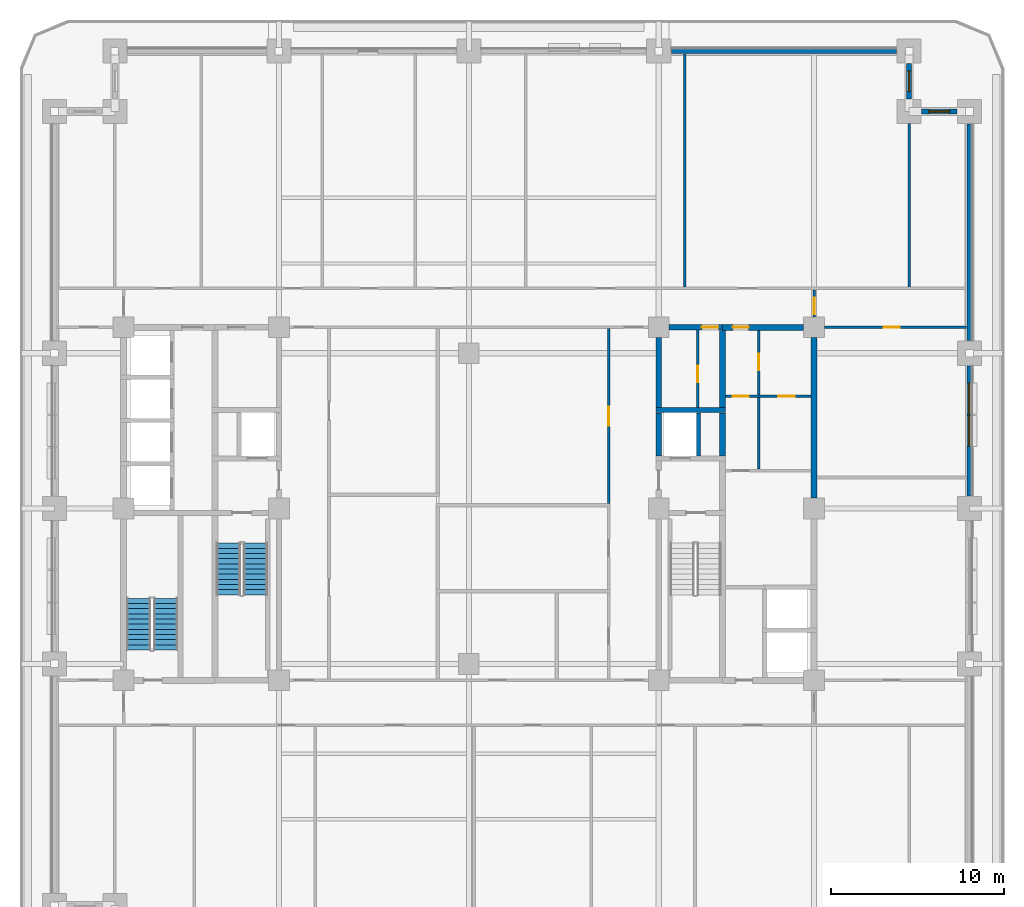
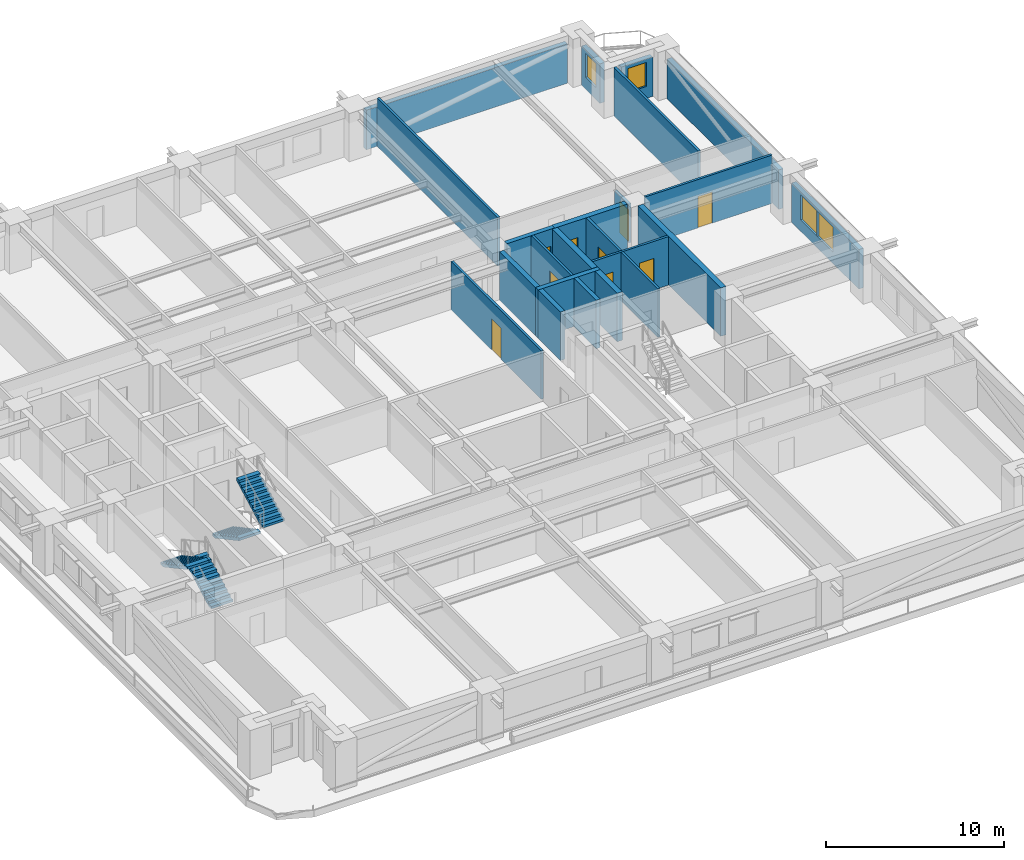
# One storey, part 6 of 15: 23 walls, 9 doors, 4 stair flights, 4 windows, 13 openings, 2 elements without a shape of their own.
"""IFC4 building model written with IfcOpenShell, lengths in metres."""

from ifc_helpers import new_model, si_unit, direction, frame, frame_2d, origin, place, context, subcontext, project, spatial, polyline, rectangle, outline, extrude, material, layer, layer_set, type_object, element, fill, aggregate, save


model = new_model("IFC4")

# Units and contexts
model_context = context("Model", 3, precision=1e-05, world=origin(), true_north=direction((0.0, 1.0)))
body_context = subcontext(model_context, "Body", "Model", "MODEL_VIEW")
ifc_project = project(units=[si_unit("LENGTHUNIT", "METRE"), si_unit("AREAUNIT", "SQUARE_METRE"), si_unit("VOLUMEUNIT", "CUBIC_METRE"), si_unit("PLANEANGLEUNIT", "RADIAN"), si_unit("MASSUNIT", "GRAM", prefix="KILO")], contexts=[model_context])

# Site, building, storey
site_placement = place(None, origin())
site = spatial("IfcSite", under=ifc_project, at=site_placement, CompositionType="ELEMENT")
building_placement = place(site_placement, origin())
building = spatial("IfcBuilding", under=site, at=building_placement, Name="Zulmaris Gate Convention Tower", CompositionType="ELEMENT")
storey_placement = place(building_placement, frame((0.0, 0.0, 37.909912109375)))
storey = spatial("IfcBuildingStorey", under=building, at=storey_placement, Name="L08", CompositionType="ELEMENT", Elevation=37.909912109375)

# Walls
ifc_material_1 = material(Name="Concrete C50/60", Category="concrete")
ifc_layer_1 = layer(ifc_material_1, 0.25, Name="Concrete C50/60")
ifc_layer_set_1 = layer_set([ifc_layer_1], Name="Concrete C50/60")
wall_type_1 = type_object("IfcWallType", Name="CORE-250", PredefinedType="SOLIDWALL", material=ifc_layer_set_1)
wall_1_placement = place(storey_placement, frame((13.300048828125, 3.052001953125, 0.0), z_axis=(0.0, 0.0, 1.0), x_axis=(0.0, 1.0, 0.0)))
element("IfcWall", 1, at=wall_1_placement, inside=storey, type_object=wall_type_1, Name="WL-L08-060", PredefinedType="SOLIDWALL", context=body_context, shape_type="SweptSolid", body=[
    extrude(rectangle(XDim=2.49609375, YDim=0.25, at=frame_2d((1.248046875, 0.0))), origin(), (0.0, 0.0, 1.0), 3.320068359375),
])
ifc_layer_2 = layer(ifc_material_1, 0.300048828125, Name="Concrete C50/60")
ifc_layer_set_2 = layer_set([ifc_layer_2], Name="Concrete C50/60")
wall_type_2 = type_object("IfcWallType", Name="CORE-300", PredefinedType="SHEAR", material=ifc_layer_set_2)
wall_2_placement = place(storey_placement, frame((10.85009765625, 5.699951171875, 0.0), z_axis=(0.0, 0.0, 1.0), x_axis=(1.0, 0.0, 0.0)))
element("IfcWall", 2, at=wall_2_placement, inside=storey, type_object=wall_type_2, Name="WL-L08-014", PredefinedType="SHEAR", context=body_context, shape_type="SweptSolid", body=[
    extrude(rectangle(XDim=4.02490234375, YDim=0.300048828125, at=frame_2d((2.012451171875, 0.0))), origin(), (0.0, 0.0, 1.0), 3.320068359375),
])

# Wall, opening, door
wall_3_placement = place(storey_placement, frame((11.60400390625, 10.5, 0.0), z_axis=(0.0, 0.0, 1.0), x_axis=(1.0, 0.0, 0.0)))
wall_3 = element("IfcWall", 3, at=wall_3_placement, inside=storey, type_object=wall_type_2, Name="WL-L08-018", PredefinedType="SHEAR", context=body_context, shape_type="SweptSolid", body=[
    extrude(rectangle(XDim=3.095947265625, YDim=0.300048828125, at=frame_2d((1.5478515625, 0.0))), origin(), (0.0, 0.0, 1.0), 3.320068359375),
])
opening_1_placement = place(wall_3_placement, frame((1.90087890625, 0.0, 0.0)))
opening_1 = element("IfcOpeningElement", 4, at=opening_1_placement, cuts=wall_3, Name="Opening D-11", PredefinedType="OPENING", context=body_context, shape_type="SweptSolid", body=[
    extrude(rectangle(XDim=0.949951171875, YDim=2.14990234375, at=frame_2d((0.47509765625, 1.074951171875))), frame((0.0, 0.16015625, 0.0), z_axis=(0.0, -1.0, 0.0), x_axis=(1.0, 0.0, 0.0)), (0.0, 0.0, 1.0), 0.320068359375),
])
ifc_material_2 = material(Name="Fire-Rated Timber", Category="wood")
door_type_1 = type_object("IfcDoorType", Name="DR-950-FD", OperationType="NOTDEFINED", PredefinedType="DOOR", material=ifc_material_2)
door_1_placement = place(opening_1_placement, origin())
door_1 = element("IfcDoor", 5, at=door_1_placement, inside=storey, type_object=door_type_1, Name="L08 Core Linen Closet Door 08", OperationType="SINGLE_SWING_RIGHT", OverallHeight=2.14990234375, OverallWidth=0.949951171875, PredefinedType="DOOR", context=body_context, shape_type="SweptSolid", body=[
    extrude(rectangle(XDim=0.949951171875, YDim=2.14990234375, at=frame_2d((0.47509765625, 1.074951171875))), frame((0.0, 0.02490234375, 0.0), z_axis=(0.0, -1.0, 0.0), x_axis=(1.0, 0.0, 0.0)), (0.0, 0.0, 1.0), 0.050048828125),
])
fill(opening_1, door_1)

# Walls
wall_4_placement = place(storey_placement, frame((11.0, 3.052001953125, 0.0), z_axis=(0.0, 0.0, 1.0), x_axis=(0.0, 1.0, 0.0)))
element("IfcWall", 6, at=wall_4_placement, inside=storey, type_object=wall_type_2, Name="WL-L08-057", PredefinedType="SHEAR", context=body_context, shape_type="SweptSolid", body=[
    extrude(rectangle(XDim=2.49609375, YDim=0.300048828125, at=frame_2d((1.248046875, 0.0))), origin(), (0.0, 0.0, 1.0), 3.320068359375),
])
wall_5_placement = place(storey_placement, frame((11.0, 5.85205078125, 0.0), z_axis=(0.0, 0.0, 1.0), x_axis=(0.0, 1.0, 0.0)))
element("IfcWall", 7, at=wall_5_placement, inside=storey, type_object=wall_type_2, Name="WL-L08-058", PredefinedType="SHEAR", context=body_context, shape_type="SweptSolid", body=[
    extrude(rectangle(XDim=4.0439453125, YDim=0.300048828125, at=frame_2d((2.02197265625, 0.0))), origin(), (0.0, 0.0, 1.0), 3.320068359375),
])

# Wall, opening, door
ifc_material_3 = material(Name="Concrete C55/67", Category="concrete")
ifc_layer_3 = layer(ifc_material_3, 0.35009765625, Name="Concrete C55/67")
ifc_layer_set_3 = layer_set([ifc_layer_3], Name="Concrete C55/67")
wall_type_3 = type_object("IfcWallType", Name="CORE-350", PredefinedType="SHEAR", material=ifc_layer_set_3)
wall_6_placement = place(storey_placement, frame((14.699951171875, 10.5, 0.0), z_axis=(0.0, 0.0, 1.0), x_axis=(1.0, 0.0, 0.0)))
wall_6 = element("IfcWall", 8, at=wall_6_placement, inside=storey, type_object=wall_type_3, Name="WL-L08-019", PredefinedType="SHEAR", context=body_context, shape_type="SweptSolid", body=[
    extrude(rectangle(XDim=4.696044921875, YDim=0.35009765625, at=frame_2d((2.34814453125, 0.0))), origin(), (0.0, 0.0, 1.0), 3.320068359375),
])
opening_2_placement = place(wall_6_placement, frame((0.60009765625, 0.0, 0.0)))
opening_2 = element("IfcOpeningElement", 9, at=opening_2_placement, cuts=wall_6, Name="Opening D-12", PredefinedType="OPENING", context=body_context, shape_type="SweptSolid", body=[
    extrude(rectangle(XDim=0.89990234375, YDim=2.14990234375, at=frame_2d((0.449951171875, 1.074951171875))), frame((0.0, 0.18505859375, 0.0), z_axis=(0.0, -1.0, 0.0), x_axis=(1.0, 0.0, 0.0)), (0.0, 0.0, 1.0), 0.3701171875),
])
door_type_2 = type_object("IfcDoorType", Name="DR-900-FD", OperationType="NOTDEFINED", PredefinedType="DOOR", material=ifc_material_2)
door_2_placement = place(opening_2_placement, origin())
door_2 = element("IfcDoor", 10, at=door_2_placement, inside=storey, type_object=door_type_2, Name="L08 East Service Passage Door 17", OperationType="SINGLE_SWING_LEFT", OverallHeight=2.14990234375, OverallWidth=0.89990234375, PredefinedType="DOOR", context=body_context, shape_type="SweptSolid", body=[
    extrude(rectangle(XDim=0.89990234375, YDim=2.14990234375, at=frame_2d((0.449951171875, 1.074951171875))), frame((0.0, 0.02490234375, 0.0), z_axis=(0.0, -1.0, 0.0), x_axis=(1.0, 0.0, 0.0)), (0.0, 0.0, 1.0), 0.050048828125),
])
fill(opening_2, door_2)

# Walls
wall_7_placement = place(storey_placement, frame((14.699951171875, 3.052001953125, 0.0), z_axis=(0.0, 0.0, 1.0), x_axis=(0.0, 1.0, 0.0)))
element("IfcWall", 11, at=wall_7_placement, inside=storey, type_object=wall_type_3, Name="WL-L08-063", PredefinedType="SHEAR", context=body_context, shape_type="SweptSolid", body=[
    extrude(rectangle(XDim=2.49609375, YDim=0.35009765625, at=frame_2d((1.248046875, 0.0))), origin(), (0.0, 0.0, 1.0), 3.320068359375),
])
wall_8_placement = place(storey_placement, frame((14.699951171875, 5.85205078125, 0.0), z_axis=(0.0, 0.0, 1.0), x_axis=(0.0, 1.0, 0.0)))
element("IfcWall", 12, at=wall_8_placement, inside=storey, type_object=wall_type_3, Name="WL-L08-064", PredefinedType="SHEAR", context=body_context, shape_type="SweptSolid", body=[
    extrude(rectangle(XDim=4.470947265625, YDim=0.35009765625, at=frame_2d((2.2353515625, 0.0))), origin(), (0.0, 0.0, 1.0), 3.320068359375),
])
wall_9_placement = place(storey_placement, frame((20.0, 0.60400390625, 0.0), z_axis=(0.0, 0.0, 1.0), x_axis=(0.0, 1.0, 0.0)))
element("IfcWall", 13, at=wall_9_placement, inside=storey, type_object=wall_type_3, Name="WL-L08-069S1", PredefinedType="SHEAR", context=body_context, shape_type="SweptSolid", body=[
    extrude(rectangle(XDim=9.2919921875, YDim=0.35009765625, at=frame_2d((4.64599609375, 0.0))), origin(), (0.0, 0.0, 1.0), 3.320068359375),
])

# Wall, openings, doors
ifc_material_4 = material(Name="Gypsum Metal Stud Partition")
ifc_layer_4 = layer(ifc_material_4, 0.14990234375, Name="Gypsum Metal Stud Partition")
ifc_layer_set_4 = layer_set([ifc_layer_4], Name="Gypsum Metal Stud Partition")
wall_type_4 = type_object("IfcWallType", Name="PART-150", PredefinedType="PARTITIONING", material=ifc_layer_set_4)
wall_10_placement = place(storey_placement, frame((14.8779296875, 6.5, 0.0), z_axis=(0.0, 0.0, 1.0), x_axis=(1.0, 0.0, 0.0)))
wall_10 = element("IfcWall", 14, at=wall_10_placement, inside=storey, type_object=wall_type_4, Name="WL-L08-030", PredefinedType="PARTITIONING", context=body_context, shape_type="SweptSolid", body=[
    extrude(rectangle(XDim=4.944091796875, YDim=0.14990234375, at=frame_2d((2.47216796875, 0.0))), origin(), (0.0, 0.0, 1.0), 3.320068359375),
])
opening_3_placement = place(wall_10_placement, frame((0.39697265625, 0.0, 0.0)))
opening_3 = element("IfcOpeningElement", 15, at=opening_3_placement, cuts=wall_10, Name="Opening D-11", PredefinedType="OPENING", context=body_context, shape_type="SweptSolid", body=[
    extrude(rectangle(XDim=0.949951171875, YDim=2.14990234375, at=frame_2d((0.47509765625, 1.074951171875))), frame((0.0, 0.0849609375, 0.0), z_axis=(0.0, -1.0, 0.0), x_axis=(1.0, 0.0, 0.0)), (0.0, 0.0, 1.0), 0.169921875),
])
opening_4_placement = place(wall_10_placement, frame((3.047119140625, 0.0, 0.0)))
opening_4 = element("IfcOpeningElement", 16, at=opening_4_placement, cuts=wall_10, Name="Opening D-11", PredefinedType="OPENING", context=body_context, shape_type="SweptSolid", body=[
    extrude(rectangle(XDim=0.949951171875, YDim=2.14990234375, at=frame_2d((0.47509765625, 1.074951171875))), frame((0.0, 0.0849609375, 0.0), z_axis=(0.0, -1.0, 0.0), x_axis=(1.0, 0.0, 0.0)), (0.0, 0.0, 1.0), 0.169921875),
])
door_3_placement = place(opening_3_placement, origin())
door_3 = element("IfcDoor", 17, at=door_3_placement, inside=storey, type_object=door_type_1, Name="L08 East Staff WC Door 18", OperationType="SINGLE_SWING_RIGHT", OverallHeight=2.14990234375, OverallWidth=0.949951171875, PredefinedType="DOOR", context=body_context, shape_type="SweptSolid", body=[
    extrude(rectangle(XDim=0.949951171875, YDim=2.14990234375, at=frame_2d((0.47509765625, 1.074951171875))), frame((0.0, 0.02490234375, 0.0), z_axis=(0.0, -1.0, 0.0), x_axis=(1.0, 0.0, 0.0)), (0.0, 0.0, 1.0), 0.050048828125),
])
fill(opening_3, door_3)
door_4_placement = place(opening_4_placement, origin())
door_4 = element("IfcDoor", 18, at=door_4_placement, inside=storey, type_object=door_type_1, Name="L08 East Catering Store Door 21", OperationType="SINGLE_SWING_LEFT", OverallHeight=2.14990234375, OverallWidth=0.949951171875, PredefinedType="DOOR", context=body_context, shape_type="SweptSolid", body=[
    extrude(rectangle(XDim=0.949951171875, YDim=2.14990234375, at=frame_2d((0.47509765625, 1.074951171875))), frame((0.0, 0.02490234375, 0.0), z_axis=(0.0, -1.0, 0.0), x_axis=(1.0, 0.0, 0.0)), (0.0, 0.0, 1.0), 0.050048828125),
])
fill(opening_4, door_4)

# Wall, opening, door
wall_11_placement = place(storey_placement, frame((20.60595703125, 10.5, 0.0), z_axis=(0.0, 0.0, 1.0), x_axis=(1.0, 0.0, 0.0)))
wall_11 = element("IfcWall", 19, at=wall_11_placement, inside=storey, type_object=wall_type_4, Name="WL-L08-033", PredefinedType="PARTITIONING", context=body_context, shape_type="SweptSolid", body=[
    extrude(rectangle(XDim=8.22900390625, YDim=0.14990234375, at=frame_2d((4.114501953125, 0.0))), origin(), (0.0, 0.0, 1.0), 3.320068359375),
])
opening_5_placement = place(wall_11_placement, frame((3.4189453125, 0.0, 0.0)))
opening_5 = element("IfcOpeningElement", 20, at=opening_5_placement, cuts=wall_11, Name="Opening D-11", PredefinedType="OPENING", context=body_context, shape_type="SweptSolid", body=[
    extrude(rectangle(XDim=0.949951171875, YDim=2.14990234375, at=frame_2d((0.47509765625, 1.074951171875))), frame((0.0, 0.0849609375, 0.0), z_axis=(0.0, -1.0, 0.0), x_axis=(1.0, 0.0, 0.0)), (0.0, 0.0, 1.0), 0.169921875),
])
door_5_placement = place(opening_5_placement, origin())
door_5 = element("IfcDoor", 21, at=door_5_placement, inside=storey, type_object=door_type_1, Name="L08 NE Partner Door 50", OperationType="SINGLE_SWING_RIGHT", OverallHeight=2.14990234375, OverallWidth=0.949951171875, PredefinedType="DOOR", context=body_context, shape_type="SweptSolid", body=[
    extrude(rectangle(XDim=0.949951171875, YDim=2.14990234375, at=frame_2d((0.47509765625, 1.074951171875))), frame((0.0, 0.02490234375, 0.0), z_axis=(0.0, -1.0, 0.0), x_axis=(1.0, 0.0, 0.0)), (0.0, 0.0, 1.0), 0.050048828125),
])
fill(opening_5, door_5)

wall_12_placement = place(storey_placement, frame((8.10009765625, 0.302978515625, 0.0), z_axis=(0.0, 0.0, 1.0), x_axis=(0.0, 1.0, 0.0)))
wall_12 = element("IfcWall", 22, at=wall_12_placement, inside=storey, type_object=wall_type_4, Name="WL-L08-091", PredefinedType="PARTITIONING", context=body_context, shape_type="SweptSolid", body=[
    extrude(rectangle(XDim=10.119140625, YDim=0.14990234375, at=frame_2d((5.0595703125, 0.0))), origin(), (0.0, 0.0, 1.0), 3.320068359375),
])
opening_6_placement = place(wall_12_placement, frame((4.4970703125, 0.0, 0.0)))
opening_6 = element("IfcOpeningElement", 23, at=opening_6_placement, cuts=wall_12, Name="Opening D-08", PredefinedType="OPENING", context=body_context, shape_type="SweptSolid", body=[
    extrude(rectangle(XDim=1.10009765625, YDim=2.14990234375, at=frame_2d((0.550048828125, 1.074951171875))), frame((0.0, 0.0849609375, 0.0), z_axis=(0.0, -1.0, 0.0), x_axis=(1.0, 0.0, 0.0)), (0.0, 0.0, 1.0), 0.169921875),
])
ifc_material_5 = material(Name="Fire-Rated Steel", Category="steel")
door_type_3 = type_object("IfcDoorType", Name="DR-1100-FD", OperationType="NOTDEFINED", PredefinedType="DOOR", material=ifc_material_5)
door_6_placement = place(opening_6_placement, origin())
door_6 = element("IfcDoor", 24, at=door_6_placement, inside=storey, type_object=door_type_3, Name="L08 Seminar Forum Door 40", OperationType="SINGLE_SWING_RIGHT", OverallHeight=2.14990234375, OverallWidth=1.10009765625, PredefinedType="DOOR", context=body_context, shape_type="SweptSolid", body=[
    extrude(rectangle(XDim=1.10009765625, YDim=2.14990234375, at=frame_2d((0.550048828125, 1.074951171875))), frame((0.0, 0.02490234375, 0.0), z_axis=(0.0, -1.0, 0.0), x_axis=(1.0, 0.0, 0.0)), (0.0, 0.0, 1.0), 0.050048828125),
])
fill(opening_6, door_6)

# Wall
wall_13_placement = place(storey_placement, frame((12.5, 12.827880859375, 0.0), z_axis=(0.0, 0.0, 1.0), x_axis=(0.0, 1.0, 0.0)))
element("IfcWall", 25, at=wall_13_placement, inside=storey, type_object=wall_type_4, Name="WL-L08-092", PredefinedType="PARTITIONING", context=body_context, shape_type="SweptSolid", body=[
    extrude(rectangle(XDim=13.507080078125, YDim=0.14990234375, at=frame_2d((6.75341796875, 0.0))), origin(), (0.0, 0.0, 1.0), 3.320068359375),
])

# Wall, opening, door
wall_14_placement = place(storey_placement, frame((13.25, 5.85302734375, 0.0), z_axis=(0.0, 0.0, 1.0), x_axis=(0.0, 1.0, 0.0)))
wall_14 = element("IfcWall", 26, at=wall_14_placement, inside=storey, type_object=wall_type_4, Name="WL-L08-094", PredefinedType="PARTITIONING", context=body_context, shape_type="SweptSolid", body=[
    extrude(rectangle(XDim=4.493896484375, YDim=0.14990234375, at=frame_2d((2.2470703125, 0.0))), origin(), (0.0, 0.0, 1.0), 3.320068359375),
])
opening_7_placement = place(wall_14_placement, frame((1.471923828125, 0.0, 0.0)))
opening_7 = element("IfcOpeningElement", 27, at=opening_7_placement, cuts=wall_14, Name="Opening D-11", PredefinedType="OPENING", context=body_context, shape_type="SweptSolid", body=[
    extrude(rectangle(XDim=0.949951171875, YDim=2.14990234375, at=frame_2d((0.47509765625, 1.074951171875))), frame((0.0, 0.0849609375, 0.0), z_axis=(0.0, -1.0, 0.0), x_axis=(1.0, 0.0, 0.0)), (0.0, 0.0, 1.0), 0.169921875),
])
door_7_placement = place(opening_7_placement, origin())
door_7 = element("IfcDoor", 28, at=door_7_placement, inside=storey, type_object=door_type_1, Name="L08 Core Service Pantry Door 09", OperationType="SINGLE_SWING_LEFT", OverallHeight=2.14990234375, OverallWidth=0.949951171875, PredefinedType="DOOR", context=body_context, shape_type="SweptSolid", body=[
    extrude(rectangle(XDim=0.949951171875, YDim=2.14990234375, at=frame_2d((0.47509765625, 1.074951171875))), frame((0.0, 0.02490234375, 0.0), z_axis=(0.0, -1.0, 0.0), x_axis=(1.0, 0.0, 0.0)), (0.0, 0.0, 1.0), 0.050048828125),
])
fill(opening_7, door_7)

# Wall
wall_15_placement = place(storey_placement, frame((16.800048828125, 2.278076171875, 0.0), z_axis=(0.0, 0.0, 1.0), x_axis=(0.0, 1.0, 0.0)))
element("IfcWall", 29, at=wall_15_placement, inside=storey, type_object=wall_type_4, Name="WL-L08-095", PredefinedType="PARTITIONING", context=body_context, shape_type="SweptSolid", body=[
    extrude(rectangle(XDim=4.14404296875, YDim=0.14990234375, at=frame_2d((2.072021484375, 0.0))), origin(), (0.0, 0.0, 1.0), 3.320068359375),
])

# Wall, opening, door
wall_16_placement = place(storey_placement, frame((16.800048828125, 6.577880859375, 0.0), z_axis=(0.0, 0.0, 1.0), x_axis=(0.0, 1.0, 0.0)))
wall_16 = element("IfcWall", 30, at=wall_16_placement, inside=storey, type_object=wall_type_4, Name="WL-L08-096", PredefinedType="PARTITIONING", context=body_context, shape_type="SweptSolid", body=[
    extrude(rectangle(XDim=3.744140625, YDim=0.14990234375, at=frame_2d((1.8720703125, 0.0))), origin(), (0.0, 0.0, 1.0), 3.320068359375),
])
opening_8_placement = place(wall_16_placement, frame((1.447021484375, 0.0, 0.0)))
opening_8 = element("IfcOpeningElement", 31, at=opening_8_placement, cuts=wall_16, Name="Opening D-11", PredefinedType="OPENING", context=body_context, shape_type="SweptSolid", body=[
    extrude(rectangle(XDim=0.949951171875, YDim=2.14990234375, at=frame_2d((0.47509765625, 1.074951171875))), frame((0.0, 0.0849609375, 0.0), z_axis=(0.0, -1.0, 0.0), x_axis=(1.0, 0.0, 0.0)), (0.0, 0.0, 1.0), 0.169921875),
])
door_8_placement = place(opening_8_placement, origin())
door_8 = element("IfcDoor", 32, at=door_8_placement, inside=storey, type_object=door_type_1, Name="L08 East Vending Pantry Door 20", OperationType="SINGLE_SWING_RIGHT", OverallHeight=2.14990234375, OverallWidth=0.949951171875, PredefinedType="DOOR", context=body_context, shape_type="SweptSolid", body=[
    extrude(rectangle(XDim=0.949951171875, YDim=2.14990234375, at=frame_2d((0.47509765625, 1.074951171875))), frame((0.0, 0.02490234375, 0.0), z_axis=(0.0, -1.0, 0.0), x_axis=(1.0, 0.0, 0.0)), (0.0, 0.0, 1.0), 0.050048828125),
])
fill(opening_8, door_8)

wall_17_placement = place(storey_placement, frame((20.0, 11.10595703125, 0.0), z_axis=(0.0, 0.0, 1.0), x_axis=(0.0, 1.0, 0.0)))
wall_17 = element("IfcWall", 33, at=wall_17_placement, inside=storey, type_object=wall_type_4, Name="WL-L08-098", PredefinedType="PARTITIONING", context=body_context, shape_type="SweptSolid", body=[
    extrude(rectangle(XDim=1.566162109375, YDim=0.14990234375, at=frame_2d((0.783203125, 0.0))), origin(), (0.0, 0.0, 1.0), 2.66015625),
])
opening_9_placement = place(wall_17_placement, frame((0.14990234375, 0.0, 0.0)))
opening_9 = element("IfcOpeningElement", 34, at=opening_9_placement, cuts=wall_17, Name="Opening D-11", PredefinedType="OPENING", context=body_context, shape_type="SweptSolid", body=[
    extrude(rectangle(XDim=0.949951171875, YDim=2.14990234375, at=frame_2d((0.47509765625, 1.074951171875))), frame((0.0, 0.0849609375, 0.0), z_axis=(0.0, -1.0, 0.0), x_axis=(1.0, 0.0, 0.0)), (0.0, 0.0, 1.0), 0.169921875),
])
door_9_placement = place(opening_9_placement, origin())
door_9 = element("IfcDoor", 35, at=door_9_placement, inside=storey, type_object=door_type_1, Name="L08 NE Spur Door 48", OperationType="SINGLE_SWING_RIGHT", OverallHeight=2.14990234375, OverallWidth=0.949951171875, PredefinedType="DOOR", context=body_context, shape_type="SweptSolid", body=[
    extrude(rectangle(XDim=0.949951171875, YDim=2.14990234375, at=frame_2d((0.47509765625, 1.074951171875))), frame((0.0, 0.02490234375, 0.0), z_axis=(0.0, -1.0, 0.0), x_axis=(1.0, 0.0, 0.0)), (0.0, 0.0, 1.0), 0.050048828125),
])
fill(opening_9, door_9)

# Wall
wall_18_placement = place(storey_placement, frame((25.5, 12.827880859375, 0.0), z_axis=(0.0, 0.0, 1.0), x_axis=(0.0, 1.0, 0.0)))
element("IfcWall", 36, at=wall_18_placement, inside=storey, type_object=wall_type_4, Name="WL-L08-100", PredefinedType="PARTITIONING", context=body_context, shape_type="SweptSolid", body=[
    extrude(rectangle(XDim=9.466064453125, YDim=0.14990234375, at=frame_2d((4.73291015625, 0.0))), origin(), (0.0, 0.0, 1.0), 3.320068359375),
])

# Wall, opening, window
ifc_material_6 = material(Name="Precast concrete C40/50", Category="concrete")
ifc_layer_5 = layer(ifc_material_6, 0.300048828125, Name="Precast concrete C40/50")
ifc_layer_set_5 = layer_set([ifc_layer_5], Name="Precast concrete C40/50")
wall_type_5 = type_object("IfcWallType", Name="PRECAST-PIER-300", PredefinedType="STANDARD", material=ifc_layer_set_5)
wall_19_placement = place(storey_placement, frame((28.27001953125, 23.0, 0.0), z_axis=(0.0, 0.0, 1.0), x_axis=(-1.0, 0.0, 0.0)))
wall_19 = element("IfcWall", 37, at=wall_19_placement, inside=storey, type_object=wall_type_5, Name="EW-L08-NOTCH-NE1_0", PredefinedType="STANDARD", context=body_context, shape_type="SweptSolid", body=[
    extrude(rectangle(XDim=2.0400390625, YDim=0.300048828125, at=frame_2d((1.02001953125, 0.0))), origin(), (0.0, 0.0, 1.0), 2.712158203125),
])
opening_10_placement = place(wall_19_placement, frame((0.419921875, 0.0, 0.820068359375)))
opening_10 = element("IfcOpeningElement", 38, at=opening_10_placement, cuts=wall_19, Name="Opening W-04", PredefinedType="OPENING", context=body_context, shape_type="SweptSolid", body=[
    extrude(rectangle(XDim=1.199951171875, YDim=1.64990234375, at=frame_2d((0.60009765625, 0.824951171875))), frame((0.0, 0.16015625, 0.0), z_axis=(0.0, -1.0, 0.0), x_axis=(1.0, 0.0, 0.0)), (0.0, 0.0, 1.0), 0.320068359375),
])
ifc_material_7 = material(Name="Low-E Laminated Double Glazing in Aluminium Frame", Category="aluminium")
window_type_1 = type_object("IfcWindowType", Name="WIN-1200x2100", PartitioningType="SINGLE_PANEL", PredefinedType="WINDOW", material=ifc_material_7)
window_1_placement = place(opening_10_placement, origin())
window_1 = element("IfcWindow", 39, at=window_1_placement, inside=storey, type_object=window_type_1, Name="WN-EW-L08-NOTCH-NE1_0", OverallHeight=1.64990234375, OverallWidth=1.199951171875, PartitioningType="SINGLE_PANEL", PredefinedType="WINDOW", context=body_context, shape_type="SweptSolid", body=[
    extrude(rectangle(XDim=1.199951171875, YDim=1.64990234375, at=frame_2d((0.60009765625, 0.824951171875))), frame((0.0, 0.030029296875, 0.0), z_axis=(0.0, -1.0, 0.0), x_axis=(1.0, 0.0, 0.0)), (0.0, 0.0, 1.0), 0.06005859375),
])
fill(opening_10, window_1)

wall_20_placement = place(storey_placement, frame((25.5, 23.72998046875, 0.0), z_axis=(0.0, 0.0, 1.0), x_axis=(0.0, 1.0, 0.0)))
wall_20 = element("IfcWall", 40, at=wall_20_placement, inside=storey, type_object=wall_type_5, Name="EW-L08-NOTCH-NE2_0", PredefinedType="STANDARD", context=body_context, shape_type="SweptSolid", body=[
    extrude(rectangle(XDim=2.0400390625, YDim=0.300048828125, at=frame_2d((1.02001953125, 0.0))), origin(), (0.0, 0.0, 1.0), 2.712158203125),
])
opening_11_placement = place(wall_20_placement, frame((0.419921875, 0.0, 0.820068359375)))
opening_11 = element("IfcOpeningElement", 41, at=opening_11_placement, cuts=wall_20, Name="Opening W-04", PredefinedType="OPENING", context=body_context, shape_type="SweptSolid", body=[
    extrude(rectangle(XDim=1.199951171875, YDim=1.64990234375, at=frame_2d((0.60009765625, 0.824951171875))), frame((0.0, 0.16015625, 0.0), z_axis=(0.0, -1.0, 0.0), x_axis=(1.0, 0.0, 0.0)), (0.0, 0.0, 1.0), 0.320068359375),
])
window_2_placement = place(opening_11_placement, origin())
window_2 = element("IfcWindow", 42, at=window_2_placement, inside=storey, type_object=window_type_1, Name="WN-EW-L08-NOTCH-NE2_0", OverallHeight=1.64990234375, OverallWidth=1.199951171875, PartitioningType="SINGLE_PANEL", PredefinedType="WINDOW", context=body_context, shape_type="SweptSolid", body=[
    extrude(rectangle(XDim=1.199951171875, YDim=1.64990234375, at=frame_2d((0.60009765625, 0.824951171875))), frame((0.0, 0.030029296875, 0.0), z_axis=(0.0, -1.0, 0.0), x_axis=(1.0, 0.0, 0.0)), (0.0, 0.0, 1.0), 0.06005859375),
])
fill(opening_11, window_2)

# Wall
wall_21_placement = place(storey_placement, frame((24.77001953125, 26.5, 0.0), z_axis=(0.0, 0.0, 1.0), x_axis=(-1.0, 0.0, 0.0)))
element("IfcWall", 43, at=wall_21_placement, inside=storey, type_object=wall_type_5, Name="EW-L08-N-3_0", PredefinedType="STANDARD", context=body_context, shape_type="SweptSolid", body=[
    extrude(rectangle(XDim=13.0400390625, YDim=0.300048828125, at=frame_2d((6.52001953125, 0.0))), origin(), (0.0, 0.0, 1.0), 2.712158203125),
])

# Wall, openings, windows
wall_22_placement = place(storey_placement, frame((29.0, 0.72998046875, 0.0), z_axis=(0.0, 0.0, 1.0), x_axis=(0.0, 1.0, 0.0)))
wall_22 = element("IfcWall", 44, at=wall_22_placement, inside=storey, type_object=wall_type_5, Name="EW-L08-E-2_0", PredefinedType="STANDARD", context=body_context, shape_type="SweptSolid", body=[
    extrude(rectangle(XDim=7.5400390625, YDim=0.300048828125, at=frame_2d((3.77001953125, 0.0))), origin(), (0.0, 0.0, 1.0), 2.712158203125),
])
opening_12_placement = place(wall_22_placement, frame((2.8701171875, 0.0, 0.780029296875)))
opening_12 = element("IfcOpeningElement", 45, at=opening_12_placement, cuts=wall_22, Name="Opening W-02", PredefinedType="OPENING", context=body_context, shape_type="SweptSolid", body=[
    extrude(rectangle(XDim=1.800048828125, YDim=1.719970703125, at=frame_2d((0.89990234375, 0.85986328125))), frame((0.0, 0.16015625, 0.0), z_axis=(0.0, -1.0, 0.0), x_axis=(1.0, 0.0, 0.0)), (0.0, 0.0, 1.0), 0.320068359375),
])
opening_13_placement = place(wall_22_placement, frame((4.7548828125, 0.0, 0.780029296875)))
opening_13 = element("IfcOpeningElement", 46, at=opening_13_placement, cuts=wall_22, Name="Opening W-02", PredefinedType="OPENING", context=body_context, shape_type="SweptSolid", body=[
    extrude(rectangle(XDim=1.800048828125, YDim=1.719970703125, at=frame_2d((0.89990234375, 0.85986328125))), frame((0.0, 0.16015625, 0.0), z_axis=(0.0, -1.0, 0.0), x_axis=(1.0, 0.0, 0.0)), (0.0, 0.0, 1.0), 0.320068359375),
])
window_type_2 = type_object("IfcWindowType", Name="WIN-1800x2200", PartitioningType="SINGLE_PANEL", PredefinedType="WINDOW", material=ifc_material_7)
window_3_placement = place(opening_12_placement, origin())
window_3 = element("IfcWindow", 47, at=window_3_placement, inside=storey, type_object=window_type_2, Name="WN-EW-L08-E-2_0-2", OverallHeight=1.719970703125, OverallWidth=1.800048828125, PartitioningType="SINGLE_PANEL", PredefinedType="WINDOW", context=body_context, shape_type="SweptSolid", body=[
    extrude(rectangle(XDim=1.800048828125, YDim=1.719970703125, at=frame_2d((0.89990234375, 0.85986328125))), frame((0.0, 0.030029296875, 0.0), z_axis=(0.0, -1.0, 0.0), x_axis=(1.0, 0.0, 0.0)), (0.0, 0.0, 1.0), 0.06005859375),
])
fill(opening_12, window_3)
window_4_placement = place(opening_13_placement, origin())
window_4 = element("IfcWindow", 48, at=window_4_placement, inside=storey, type_object=window_type_2, Name="WN-EW-L08-E-2_0-3", OverallHeight=1.719970703125, OverallWidth=1.800048828125, PartitioningType="SINGLE_PANEL", PredefinedType="WINDOW", context=body_context, shape_type="SweptSolid", body=[
    extrude(rectangle(XDim=1.800048828125, YDim=1.719970703125, at=frame_2d((0.89990234375, 0.85986328125))), frame((0.0, 0.030029296875, 0.0), z_axis=(0.0, -1.0, 0.0), x_axis=(1.0, 0.0, 0.0)), (0.0, 0.0, 1.0), 0.06005859375),
])
fill(opening_13, window_4)

# Wall
wall_23_placement = place(storey_placement, frame((29.0, 9.72998046875, 0.0), z_axis=(0.0, 0.0, 1.0), x_axis=(0.0, 1.0, 0.0)))
element("IfcWall", 49, at=wall_23_placement, inside=storey, type_object=wall_type_5, Name="EW-L08-E-3_0", PredefinedType="STANDARD", context=body_context, shape_type="SweptSolid", body=[
    extrude(rectangle(XDim=12.5400390625, YDim=0.300048828125, at=frame_2d((6.27001953125, 0.0))), origin(), (0.0, 0.0, 1.0), 2.712158203125),
])

# Stair, stair flights
ifc_material_8 = material(Name="Concrete C45/55", Category="concrete")
stair_type = type_object("IfcStairType", Name="ST-CORE-DOGLEG", PredefinedType="HALF_TURN_STAIR", material=ifc_material_8)
stair_1_placement = place(storey_placement, origin())
stair_1 = element("IfcStair", 50, at=stair_1_placement, inside=storey, type_object=stair_type, Name="L08 Core Exit Stair ST-1", PredefinedType="HALF_TURN_STAIR")
ifc_layer_6 = layer(ifc_material_8, 0.14990234375, Name="Concrete C45/55")
ifc_layer_set_6 = layer_set([ifc_layer_6], Name="Concrete C45/55")
stair_flight_type = type_object("IfcStairFlightType", Name="STF-RC150", PredefinedType="STRAIGHT", material=ifc_layer_set_6)
stair_flight_1_placement = place(storey_placement, frame((-13.919921875, -2.0, 0.0), z_axis=(0.0, 0.0, 1.0), x_axis=(0.0, -1.0, 0.0)))
stair_flight_1 = element("IfcStairFlight", 51, at=stair_flight_1_placement, type_object=stair_flight_type, Name="ST-1 flight 1", NumberOfRisers=11, NumberOfTreads=10, PredefinedType="STRAIGHT", RiserHeight=0.162277273, TreadLength=0.3, context=body_context, shape_type="SweptSolid", body=[
    extrude(outline(polyline([(0.0, 0.0), (0.0, 0.162353515625), (0.300048828125, 0.162353515625), (0.300048828125, 0.324462890625), (0.60009765625, 0.324462890625), (0.60009765625, 0.48681640625), (0.89990234375, 0.48681640625), (0.89990234375, 0.649169921875), (1.199951171875, 0.649169921875), (1.199951171875, 0.811279296875), (1.5, 0.811279296875), (1.5, 0.9736328125), (1.800048828125, 0.9736328125), (1.800048828125, 1.135986328125), (2.10009765625, 1.135986328125), (2.10009765625, 1.29833984375), (2.39990234375, 1.29833984375), (2.39990234375, 1.46044921875), (2.699951171875, 1.46044921875), (2.699951171875, 1.622802734375), (3.0, 1.622802734375), (3.0, 1.78515625), (3.0, 1.452392578125), (0.315185546875, 0.0), (0.0, 0.0)])), frame((0.0, 0.699951171875, 0.0), z_axis=(0.0, -1.0, 0.0), x_axis=(1.0, 0.0, 0.0)), (0.0, 0.0, 1.0), 1.39990234375),
])
stair_flight_2_placement = place(storey_placement, frame((-12.360107421875, -5.0, 1.78515625), z_axis=(0.0, 0.0, 1.0), x_axis=(0.0, 1.0, 0.0)))
stair_flight_2 = element("IfcStairFlight", 52, at=stair_flight_2_placement, type_object=stair_flight_type, Name="ST-1 flight 2", NumberOfRisers=11, NumberOfTreads=10, PredefinedType="STRAIGHT", RiserHeight=0.162277273, TreadLength=0.3, context=body_context, shape_type="SweptSolid", body=[
    extrude(outline(polyline([(0.0, 0.0), (0.0, 0.162353515625), (0.300048828125, 0.162353515625), (0.300048828125, 0.324462890625), (0.60009765625, 0.324462890625), (0.60009765625, 0.48681640625), (0.89990234375, 0.48681640625), (0.89990234375, 0.649169921875), (1.199951171875, 0.649169921875), (1.199951171875, 0.811279296875), (1.5, 0.811279296875), (1.5, 0.9736328125), (1.800048828125, 0.9736328125), (1.800048828125, 1.135986328125), (2.10009765625, 1.135986328125), (2.10009765625, 1.29833984375), (2.39990234375, 1.29833984375), (2.39990234375, 1.46044921875), (2.699951171875, 1.46044921875), (2.699951171875, 1.622802734375), (3.0, 1.622802734375), (3.0, 1.78515625), (3.0, 1.452392578125), (0.315185546875, 0.0), (0.0, 0.0)])), frame((0.0, 0.699951171875, 0.0), z_axis=(0.0, -1.0, 0.0), x_axis=(1.0, 0.0, 0.0)), (0.0, 0.0, 1.0), 1.39990234375),
])
aggregate(stair_1, [stair_flight_1, stair_flight_2])

stair_2_placement = place(storey_placement, origin())
stair_2 = element("IfcStair", 53, at=stair_2_placement, inside=storey, type_object=stair_type, Name="L08 Core Exit Stair ST-3", PredefinedType="HALF_TURN_STAIR")
stair_flight_3_placement = place(storey_placement, frame((-17.56005859375, -8.199951171875, 0.0), z_axis=(0.0, 0.0, 1.0), x_axis=(0.0, 1.0, 0.0)))
stair_flight_3 = element("IfcStairFlight", 54, at=stair_flight_3_placement, type_object=stair_flight_type, Name="ST-3 flight 1", NumberOfRisers=11, NumberOfTreads=10, PredefinedType="STRAIGHT", RiserHeight=0.162277273, TreadLength=0.3, context=body_context, shape_type="SweptSolid", body=[
    extrude(outline(polyline([(0.0, 0.0), (0.0, 0.162353515625), (0.300048828125, 0.162353515625), (0.300048828125, 0.324462890625), (0.60009765625, 0.324462890625), (0.60009765625, 0.48681640625), (0.89990234375, 0.48681640625), (0.89990234375, 0.649169921875), (1.199951171875, 0.649169921875), (1.199951171875, 0.811279296875), (1.5, 0.811279296875), (1.5, 0.9736328125), (1.800048828125, 0.9736328125), (1.800048828125, 1.135986328125), (2.10009765625, 1.135986328125), (2.10009765625, 1.29833984375), (2.39990234375, 1.29833984375), (2.39990234375, 1.46044921875), (2.699951171875, 1.46044921875), (2.699951171875, 1.622802734375), (3.0, 1.622802734375), (3.0, 1.78515625), (3.0, 1.452392578125), (0.315185546875, 0.0), (0.0, 0.0)])), frame((0.0, 0.699951171875, 0.0), z_axis=(0.0, -1.0, 0.0), x_axis=(1.0, 0.0, 0.0)), (0.0, 0.0, 1.0), 1.39990234375),
])
stair_flight_4_placement = place(storey_placement, frame((-19.1201171875, -5.199951171875, 1.78515625), z_axis=(0.0, 0.0, 1.0), x_axis=(0.0, -1.0, 0.0)))
stair_flight_4 = element("IfcStairFlight", 55, at=stair_flight_4_placement, type_object=stair_flight_type, Name="ST-3 flight 2", NumberOfRisers=11, NumberOfTreads=10, PredefinedType="STRAIGHT", RiserHeight=0.162277273, TreadLength=0.3, context=body_context, shape_type="SweptSolid", body=[
    extrude(outline(polyline([(0.0, 0.0), (0.0, 0.162353515625), (0.300048828125, 0.162353515625), (0.300048828125, 0.324462890625), (0.60009765625, 0.324462890625), (0.60009765625, 0.48681640625), (0.89990234375, 0.48681640625), (0.89990234375, 0.649169921875), (1.199951171875, 0.649169921875), (1.199951171875, 0.811279296875), (1.5, 0.811279296875), (1.5, 0.9736328125), (1.800048828125, 0.9736328125), (1.800048828125, 1.135986328125), (2.10009765625, 1.135986328125), (2.10009765625, 1.29833984375), (2.39990234375, 1.29833984375), (2.39990234375, 1.46044921875), (2.699951171875, 1.46044921875), (2.699951171875, 1.622802734375), (3.0, 1.622802734375), (3.0, 1.78515625), (3.0, 1.452392578125), (0.315185546875, 0.0), (0.0, 0.0)])), frame((0.0, 0.699951171875, 0.0), z_axis=(0.0, -1.0, 0.0), x_axis=(1.0, 0.0, 0.0)), (0.0, 0.0, 1.0), 1.39990234375),
])
aggregate(stair_2, [stair_flight_3, stair_flight_4])

save(model, "model.ifc")
